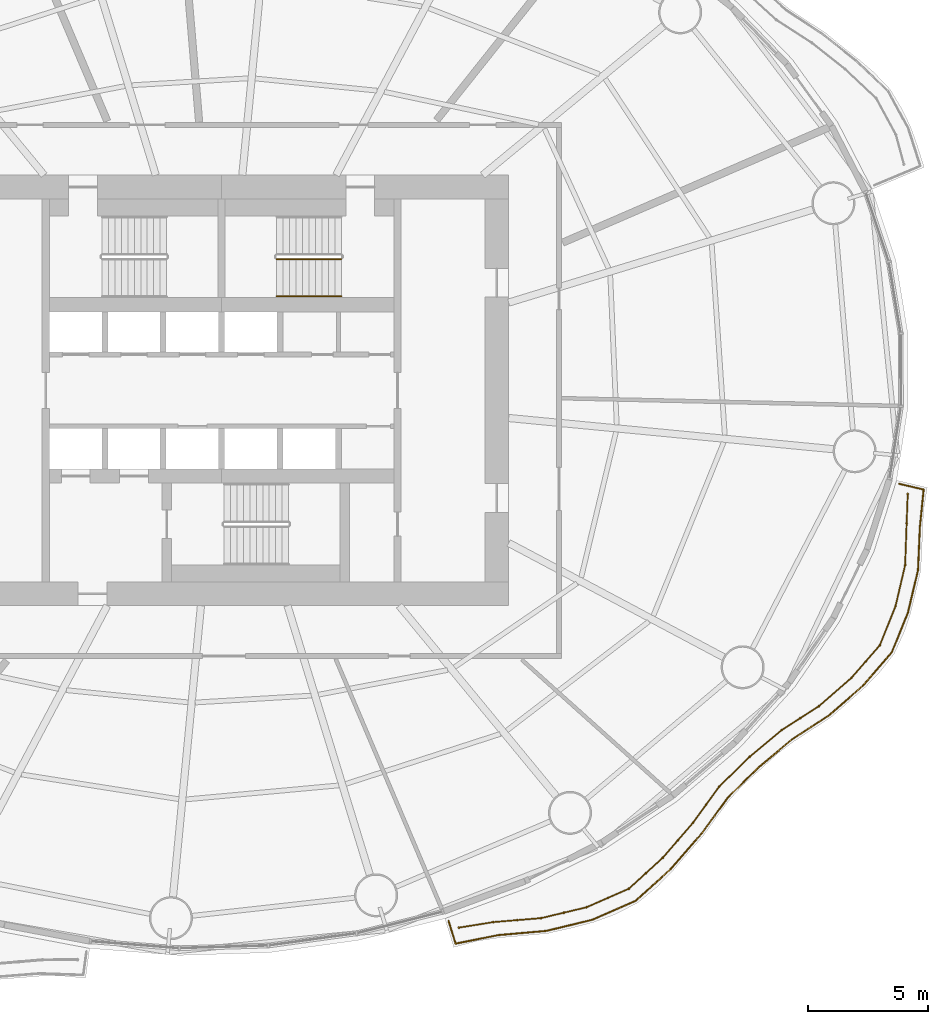
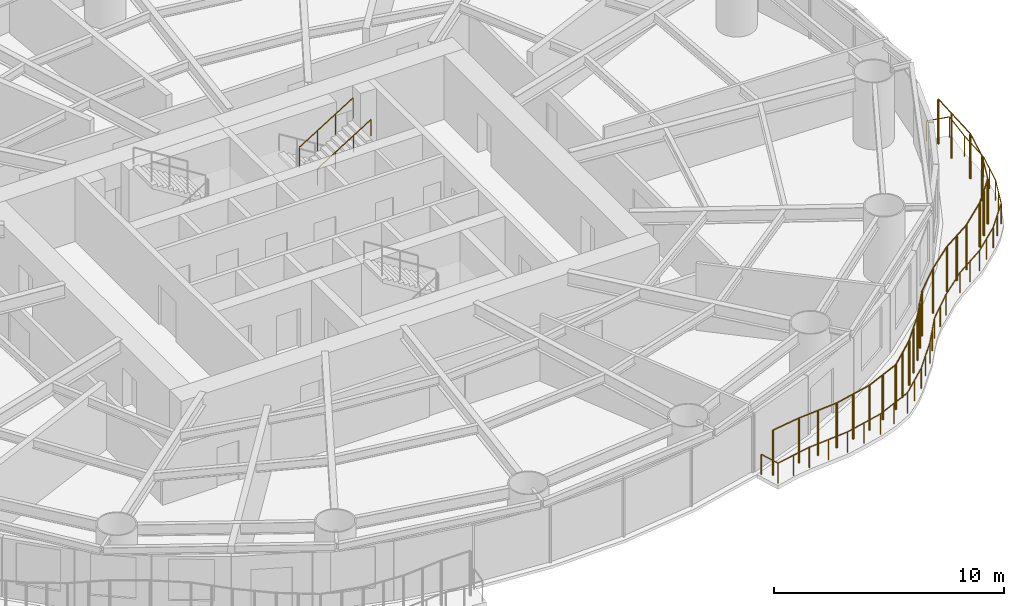
# One storey, part 14 of 17: 4 railings.
"""IFC4 building model written with IfcOpenShell, lengths in metres."""

from ifc_helpers import new_model, si_unit, direction, frame, origin, origin_2d, place, context, subcontext, project, spatial, circle, extrude, material, type_object, element, save


model = new_model("IFC4")

# Units and contexts
model_context = context("Model", 3, precision=1e-05, world=origin(), true_north=direction((0.0, 1.0)))
body_context = subcontext(model_context, "Body", "Model", "MODEL_VIEW")
ifc_project = project(units=[si_unit("LENGTHUNIT", "METRE"), si_unit("AREAUNIT", "SQUARE_METRE"), si_unit("VOLUMEUNIT", "CUBIC_METRE"), si_unit("PLANEANGLEUNIT", "RADIAN"), si_unit("MASSUNIT", "GRAM", prefix="KILO")], contexts=[model_context])

# Site, building, storey
site_placement = place(None, origin())
site = spatial("IfcSite", under=ifc_project, at=site_placement, CompositionType="ELEMENT")
building_placement = place(site_placement, origin())
building = spatial("IfcBuilding", under=site, at=building_placement, Name="Vermilion Reach Broadcast Tower", CompositionType="ELEMENT")
storey_placement = place(building_placement, frame((0.0, 0.0, 54.5)))
storey = spatial("IfcBuildingStorey", under=building, at=storey_placement, Name="L10", CompositionType="ELEMENT", Elevation=54.5)

# Railings
ifc_material_1 = material(Name="Terracotta baguette", Category="masonry")
railing_type_1 = type_object("IfcRailingType", Name="BAGUETTE SCREEN", PredefinedType="USERDEFINED", material=ifc_material_1)
railing_1_placement = place(storey_placement, frame((3.91796875, -22.45849609375, 0.0)))
element("IfcRailing", 1, at=railing_1_placement, inside=storey, type_object=railing_type_1, Name="Baguette screen L10 group 4", ObjectType="BAGUETTE SCREEN", PredefinedType="USERDEFINED", context=body_context, shape_type="SweptSolid", body=[
    extrude(circle(Radius=0.030029296875, at=origin_2d()), frame((0.0, 0.0, 2.369873046875), z_axis=(0.987335988709, 0.158643138525, 0.0), x_axis=(-0.158643138525, 0.987335988709, 0.0)), (0.0, 0.0, 1.0), 1.458984375),
    extrude(circle(Radius=0.030029296875, at=origin_2d()), frame((1.4404296875, 0.2314453125, 2.369873046875), z_axis=(0.996555843102, 0.082924372652, 0.0), x_axis=(-0.082924372652, 0.996555843102, 0.0)), (0.0, 0.0, 1.0), 2.001953125),
    extrude(circle(Radius=0.030029296875, at=origin_2d()), frame((3.435546875, 0.3974609375, 2.369873046875), z_axis=(0.972648965761, 0.232279980635, 0.0), x_axis=(-0.232279980635, 0.972648965761, 0.0)), (0.0, 0.0, 1.0), 1.951904296875),
    extrude(circle(Radius=0.030029296875, at=origin_2d()), frame((5.333984375, 0.850830078125, 2.369873046875), z_axis=(0.915801220385, 0.401631827352, 0.0), x_axis=(-0.401631827352, 0.915801220385, 0.0)), (0.0, 0.0, 1.0), 1.937255859375),
    extrude(circle(Radius=0.030029296875, at=origin_2d()), frame((7.108154296875, 1.62890625, 2.369873046875), z_axis=(0.738160785436, 0.674624825251, 0.0), x_axis=(-0.674624825251, 0.738160785436, 0.0)), (0.0, 0.0, 1.0), 1.92138671875),
    extrude(circle(Radius=0.030029296875, at=origin_2d()), frame((8.5263671875, 2.925048828125, 2.369873046875), z_axis=(0.653867513855, 0.756609063074, 0.0), x_axis=(-0.756609063074, 0.653867513855, 0.0)), (0.0, 0.0, 1.0), 1.9248046875),
    extrude(circle(Radius=0.030029296875, at=origin_2d()), frame((9.784912109375, 4.38134765625, 2.369873046875), z_axis=(0.586183820318, 0.810178084619, 0.0), x_axis=(-0.810178084619, 0.586183820318, 0.0)), (0.0, 0.0, 1.0), 1.86376953125),
    extrude(circle(Radius=0.030029296875, at=origin_2d()), frame((10.87744140625, 5.891357421875, 2.369873046875), z_axis=(0.714055391326, 0.700089207258, 0.0), x_axis=(-0.700089207258, 0.714055391326, 0.0)), (0.0, 0.0, 1.0), 1.782958984375),
    extrude(circle(Radius=0.030029296875, at=origin_2d()), frame((12.150634765625, 7.1396484375, 2.369873046875), z_axis=(0.768666482934, 0.639649777624, 0.0), x_axis=(-0.639649777624, 0.768666482934, 0.0)), (0.0, 0.0, 1.0), 1.752197265625),
    extrude(circle(Radius=0.030029296875, at=origin_2d()), frame((13.49755859375, 8.260498046875, 2.369873046875), z_axis=(0.84128992121, 0.540584191844, 0.0), x_axis=(-0.540584191844, 0.84128992121, 0.0)), (0.0, 0.0, 1.0), 1.850341796875),
    extrude(circle(Radius=0.030029296875, at=origin_2d()), frame((15.05419921875, 9.2607421875, 2.369873046875), z_axis=(0.753810631785, 0.657091722218, 0.0), x_axis=(-0.657091722218, 0.753810631785, 0.0)), (0.0, 0.0, 1.0), 1.7998046875),
    extrude(circle(Radius=0.030029296875, at=origin_2d()), frame((16.410888671875, 10.443359375, 2.369873046875), z_axis=(0.657135200432, 0.753772729908, 0.0), x_axis=(-0.753772729908, 0.657135200432, 0.0)), (0.0, 0.0, 1.0), 1.806396484375),
    extrude(circle(Radius=0.030029296875, at=origin_2d()), frame((17.597900390625, 11.804931640625, 2.369873046875), z_axis=(0.372371565457, 0.928083733959, 0.0), x_axis=(-0.928083733959, 0.372371565457, 0.0)), (0.0, 0.0, 1.0), 1.759033203125),
    extrude(circle(Radius=0.030029296875, at=origin_2d()), frame((18.2529296875, 13.4375, 2.369873046875), z_axis=(0.227614050837, 0.973751428169, 0.0), x_axis=(-0.973751428169, 0.227614050837, 0.0)), (0.0, 0.0, 1.0), 1.7666015625),
    extrude(circle(Radius=0.030029296875, at=origin_2d()), frame((18.655029296875, 15.15771484375, 2.369873046875), z_axis=(0.035676617909, 0.999363386829, 0.0), x_axis=(-0.999363386829, 0.035676617909, 0.0)), (0.0, 0.0, 1.0), 1.751953125),
    extrude(circle(Radius=0.030029296875, at=origin_2d()), frame((18.717529296875, 16.908447265625, 2.369873046875), z_axis=(0.03751351251, 0.999296120466, 0.0), x_axis=(-0.999296120466, 0.03751351251, 0.0)), (0.0, 0.0, 1.0), 1.2236328125),
    extrude(circle(Radius=0.050048828125, at=origin_2d()), origin(), (0.0, 0.0, 1.0), 2.33984375),
    extrude(circle(Radius=0.050048828125, at=origin_2d()), frame((1.4404296875, 0.2314453125, 0.0)), (0.0, 0.0, 1.0), 2.33984375),
    extrude(circle(Radius=0.050048828125, at=origin_2d()), frame((2.43798828125, 0.314453125, 0.0)), (0.0, 0.0, 1.0), 2.33984375),
    extrude(circle(Radius=0.050048828125, at=origin_2d()), frame((3.435546875, 0.3974609375, 0.0)), (0.0, 0.0, 1.0), 2.33984375),
    extrude(circle(Radius=0.050048828125, at=origin_2d()), frame((4.384765625, 0.6240234375, 0.0)), (0.0, 0.0, 1.0), 2.33984375),
    extrude(circle(Radius=0.050048828125, at=origin_2d()), frame((5.333984375, 0.850830078125, 0.0)), (0.0, 0.0, 1.0), 2.33984375),
    extrude(circle(Radius=0.050048828125, at=origin_2d()), frame((6.22119140625, 1.23974609375, 0.0)), (0.0, 0.0, 1.0), 2.33984375),
    extrude(circle(Radius=0.050048828125, at=origin_2d()), frame((7.108154296875, 1.62890625, 0.0)), (0.0, 0.0, 1.0), 2.33984375),
    extrude(circle(Radius=0.050048828125, at=origin_2d()), frame((7.8173828125, 2.27685546875, 0.0)), (0.0, 0.0, 1.0), 2.33984375),
    extrude(circle(Radius=0.050048828125, at=origin_2d()), frame((8.5263671875, 2.925048828125, 0.0)), (0.0, 0.0, 1.0), 2.33984375),
    extrude(circle(Radius=0.050048828125, at=origin_2d()), frame((9.15576171875, 3.6533203125, 0.0)), (0.0, 0.0, 1.0), 2.33984375),
    extrude(circle(Radius=0.050048828125, at=origin_2d()), frame((9.784912109375, 4.38134765625, 0.0)), (0.0, 0.0, 1.0), 2.33984375),
    extrude(circle(Radius=0.050048828125, at=origin_2d()), frame((10.3310546875, 5.13623046875, 0.0)), (0.0, 0.0, 1.0), 2.33984375),
    extrude(circle(Radius=0.050048828125, at=origin_2d()), frame((10.87744140625, 5.891357421875, 0.0)), (0.0, 0.0, 1.0), 2.33984375),
    extrude(circle(Radius=0.050048828125, at=origin_2d()), frame((12.150634765625, 7.1396484375, 0.0)), (0.0, 0.0, 1.0), 2.33984375),
    extrude(circle(Radius=0.050048828125, at=origin_2d()), frame((13.49755859375, 8.260498046875, 0.0)), (0.0, 0.0, 1.0), 2.33984375),
    extrude(circle(Radius=0.050048828125, at=origin_2d()), frame((14.27587890625, 8.7607421875, 0.0)), (0.0, 0.0, 1.0), 2.33984375),
    extrude(circle(Radius=0.050048828125, at=origin_2d()), frame((15.05419921875, 9.2607421875, 0.0)), (0.0, 0.0, 1.0), 2.33984375),
    extrude(circle(Radius=0.050048828125, at=origin_2d()), frame((16.410888671875, 10.443359375, 0.0)), (0.0, 0.0, 1.0), 2.33984375),
    extrude(circle(Radius=0.050048828125, at=origin_2d()), frame((17.00439453125, 11.1240234375, 0.0)), (0.0, 0.0, 1.0), 2.33984375),
    extrude(circle(Radius=0.050048828125, at=origin_2d()), frame((17.597900390625, 11.804931640625, 0.0)), (0.0, 0.0, 1.0), 2.33984375),
    extrude(circle(Radius=0.050048828125, at=origin_2d()), frame((18.2529296875, 13.4375, 0.0)), (0.0, 0.0, 1.0), 2.33984375),
    extrude(circle(Radius=0.050048828125, at=origin_2d()), frame((18.655029296875, 15.15771484375, 0.0)), (0.0, 0.0, 1.0), 2.33984375),
    extrude(circle(Radius=0.050048828125, at=origin_2d()), frame((18.717529296875, 16.908447265625, 0.0)), (0.0, 0.0, 1.0), 2.33984375),
    extrude(circle(Radius=0.050048828125, at=origin_2d()), frame((18.763427734375, 18.131103515625, 0.0)), (0.0, 0.0, 1.0), 2.33984375),
])
ifc_material_2 = material(Name="Stainless steel 316 balustrade", Category="steel")
railing_type_2 = type_object("IfcRailingType", Name="Balcony guard 1100", PredefinedType="BALUSTRADE", material=ifc_material_2)
railing_2_placement = place(storey_placement, frame((3.487548828125, -22.1826171875, 0.0)))
element("IfcRailing", 2, at=railing_2_placement, inside=storey, type_object=railing_type_2, Name="Balcony guard L10 group 4", PredefinedType="BALUSTRADE", context=body_context, shape_type="SweptSolid", body=[
    extrude(circle(Radius=0.02490234375, at=origin_2d()), frame((0.0, 0.0, 1.0751953125), z_axis=(0.295785653877, -0.955254336269, 0.0), x_axis=(0.955254336269, 0.295785653877, 0.0)), (0.0, 0.0, 1.0), 0.98876953125),
    extrude(circle(Radius=0.02490234375, at=origin_2d()), frame((0.29248046875, -0.944580078125, 1.0751953125), z_axis=(0.980559979604, 0.196219587195, 0.0), x_axis=(-0.196219587195, 0.980559979604, 0.0)), (0.0, 0.0, 1.0), 1.8154296875),
    extrude(circle(Radius=0.02490234375, at=origin_2d()), frame((2.072509765625, -0.58837890625, 1.0751953125), z_axis=(0.996150847713, 0.087655510949, 0.0), x_axis=(-0.087655510949, 0.996150847713, 0.0)), (0.0, 0.0, 1.0), 2.033203125),
    extrude(circle(Radius=0.02490234375, at=origin_2d()), frame((4.097900390625, -0.41015625, 1.0751953125), z_axis=(0.971833879899, 0.235666946943, 0.0), x_axis=(-0.235666946943, 0.971833879899, 0.0)), (0.0, 0.0, 1.0), 1.98388671875),
    extrude(circle(Radius=0.02490234375, at=origin_2d()), frame((6.02587890625, 0.057373046875, 1.0751953125), z_axis=(0.915251103698, 0.402883875552, 0.0), x_axis=(-0.402883875552, 0.915251103698, 0.0)), (0.0, 0.0, 1.0), 1.97119140625),
    extrude(circle(Radius=0.02490234375, at=origin_2d()), frame((7.830078125, 0.8515625, 1.0751953125), z_axis=(0.740267826276, 0.672312089271, 0.0), x_axis=(-0.672312089271, 0.740267826276, 0.0)), (0.0, 0.0, 1.0), 1.954345703125),
    extrude(circle(Radius=0.02490234375, at=origin_2d()), frame((9.27685546875, 2.16552734375, 1.0751953125), z_axis=(0.657171506207, 0.75374107718, 0.0), x_axis=(-0.75374107718, 0.657171506207, 0.0)), (0.0, 0.0, 1.0), 1.959228515625),
    extrude(circle(Radius=0.02490234375, at=origin_2d()), frame((10.564453125, 3.642333984375, 1.0751953125), z_axis=(0.590158483535, 0.807287411218, 0.0), x_axis=(-0.807287411218, 0.590158483535, 0.0)), (0.0, 0.0, 1.0), 1.89794921875),
    extrude(circle(Radius=0.02490234375, at=origin_2d()), frame((11.6845703125, 5.174560546875, 1.0751953125), z_axis=(0.714644513624, 0.699487826304, 0.0), x_axis=(-0.699487826304, 0.714644513624, 0.0)), (0.0, 0.0, 1.0), 1.820068359375),
    extrude(circle(Radius=0.02490234375, at=origin_2d()), frame((12.9853515625, 6.44775390625, 1.0751953125), z_axis=(0.767146459756, 0.641471986359, 0.0), x_axis=(-0.641471986359, 0.767146459756, 0.0)), (0.0, 0.0, 1.0), 1.7890625),
    extrude(circle(Radius=0.02490234375, at=origin_2d()), frame((14.35791015625, 7.595458984375, 1.0751953125), z_axis=(0.838029714773, 0.545624593615, 0.0), x_axis=(-0.545624593615, 0.838029714773, 0.0)), (0.0, 0.0, 1.0), 1.8876953125),
    extrude(circle(Radius=0.02490234375, at=origin_2d()), frame((15.93994140625, 8.62548828125, 1.0751953125), z_axis=(0.750755668614, 0.660579992161, 0.0), x_axis=(-0.660579992161, 0.750755668614, 0.0)), (0.0, 0.0, 1.0), 1.83837890625),
    extrude(circle(Radius=0.02490234375, at=origin_2d()), frame((17.320068359375, 9.83984375, 1.0751953125), z_axis=(0.654527883709, 0.756037862443, 0.0), x_axis=(-0.756037862443, 0.654527883709, 0.0)), (0.0, 0.0, 1.0), 1.84716796875),
    extrude(circle(Radius=0.02490234375, at=origin_2d()), frame((18.529052734375, 11.236328125, 1.0751953125), z_axis=(0.374732127814, 0.927133125492, 0.0), x_axis=(-0.927133125492, 0.374732127814, 0.0)), (0.0, 0.0, 1.0), 1.800048828125),
    extrude(circle(Radius=0.02490234375, at=origin_2d()), frame((19.20361328125, 12.9052734375, 1.0751953125), z_axis=(0.232009772326, 0.972713455004, 0.0), x_axis=(-0.972713455004, 0.232009772326, 0.0)), (0.0, 0.0, 1.0), 1.808837890625),
    extrude(circle(Radius=0.02490234375, at=origin_2d()), frame((19.623291015625, 14.664794921875, 1.0751953125), z_axis=(0.043165399606, 0.99906793977, 0.0), x_axis=(-0.99906793977, 0.043165399606, 0.0)), (0.0, 0.0, 1.0), 1.79296875),
    extrude(circle(Radius=0.02490234375, at=origin_2d()), frame((19.70068359375, 16.4560546875, 1.0751953125), z_axis=(0.09959502317, 0.995028055564, 0.0), x_axis=(-0.995028055564, 0.09959502317, 0.0)), (0.0, 0.0, 1.0), 1.58837890625),
    extrude(circle(Radius=0.02490234375, at=origin_2d()), frame((19.85888671875, 18.03662109375, 1.0751953125), z_axis=(-0.973306936364, 0.229507314973, 0.0), x_axis=(-0.229507314973, -0.973306936364, 0.0)), (0.0, 0.0, 1.0), 1.046630859375),
    extrude(circle(Radius=0.02490234375, at=origin_2d()), origin(), (0.0, 0.0, 1.0), 1.050048828125),
    extrude(circle(Radius=0.02490234375, at=origin_2d()), frame((0.29248046875, -0.944580078125, 0.0)), (0.0, 0.0, 1.0), 1.050048828125),
    extrude(circle(Radius=0.02490234375, at=origin_2d()), frame((1.1826171875, -0.7666015625, 0.0)), (0.0, 0.0, 1.0), 1.050048828125),
    extrude(circle(Radius=0.02490234375, at=origin_2d()), frame((2.072509765625, -0.58837890625, 0.0)), (0.0, 0.0, 1.0), 1.050048828125),
    extrude(circle(Radius=0.02490234375, at=origin_2d()), frame((3.085205078125, -0.499267578125, 0.0)), (0.0, 0.0, 1.0), 1.050048828125),
    extrude(circle(Radius=0.02490234375, at=origin_2d()), frame((4.097900390625, -0.41015625, 0.0)), (0.0, 0.0, 1.0), 1.050048828125),
    extrude(circle(Radius=0.02490234375, at=origin_2d()), frame((5.06201171875, -0.17626953125, 0.0)), (0.0, 0.0, 1.0), 1.050048828125),
    extrude(circle(Radius=0.02490234375, at=origin_2d()), frame((6.02587890625, 0.057373046875, 0.0)), (0.0, 0.0, 1.0), 1.050048828125),
    extrude(circle(Radius=0.02490234375, at=origin_2d()), frame((6.927978515625, 0.45458984375, 0.0)), (0.0, 0.0, 1.0), 1.050048828125),
    extrude(circle(Radius=0.02490234375, at=origin_2d()), frame((7.830078125, 0.8515625, 0.0)), (0.0, 0.0, 1.0), 1.050048828125),
    extrude(circle(Radius=0.02490234375, at=origin_2d()), frame((8.553466796875, 1.508544921875, 0.0)), (0.0, 0.0, 1.0), 1.050048828125),
    extrude(circle(Radius=0.02490234375, at=origin_2d()), frame((9.27685546875, 2.16552734375, 0.0)), (0.0, 0.0, 1.0), 1.050048828125),
    extrude(circle(Radius=0.02490234375, at=origin_2d()), frame((9.920654296875, 2.90380859375, 0.0)), (0.0, 0.0, 1.0), 1.050048828125),
    extrude(circle(Radius=0.02490234375, at=origin_2d()), frame((10.564453125, 3.642333984375, 0.0)), (0.0, 0.0, 1.0), 1.050048828125),
    extrude(circle(Radius=0.02490234375, at=origin_2d()), frame((11.12451171875, 4.408447265625, 0.0)), (0.0, 0.0, 1.0), 1.050048828125),
    extrude(circle(Radius=0.02490234375, at=origin_2d()), frame((11.6845703125, 5.174560546875, 0.0)), (0.0, 0.0, 1.0), 1.050048828125),
    extrude(circle(Radius=0.02490234375, at=origin_2d()), frame((12.3349609375, 5.81103515625, 0.0)), (0.0, 0.0, 1.0), 1.050048828125),
    extrude(circle(Radius=0.02490234375, at=origin_2d()), frame((12.9853515625, 6.44775390625, 0.0)), (0.0, 0.0, 1.0), 1.050048828125),
    extrude(circle(Radius=0.02490234375, at=origin_2d()), frame((14.35791015625, 7.595458984375, 0.0)), (0.0, 0.0, 1.0), 1.050048828125),
    extrude(circle(Radius=0.02490234375, at=origin_2d()), frame((15.14892578125, 8.1103515625, 0.0)), (0.0, 0.0, 1.0), 1.050048828125),
    extrude(circle(Radius=0.02490234375, at=origin_2d()), frame((15.93994140625, 8.62548828125, 0.0)), (0.0, 0.0, 1.0), 1.050048828125),
    extrude(circle(Radius=0.02490234375, at=origin_2d()), frame((16.6298828125, 9.232666015625, 0.0)), (0.0, 0.0, 1.0), 1.050048828125),
    extrude(circle(Radius=0.02490234375, at=origin_2d()), frame((17.320068359375, 9.83984375, 0.0)), (0.0, 0.0, 1.0), 1.050048828125),
    extrude(circle(Radius=0.02490234375, at=origin_2d()), frame((17.924560546875, 10.5380859375, 0.0)), (0.0, 0.0, 1.0), 1.050048828125),
    extrude(circle(Radius=0.02490234375, at=origin_2d()), frame((18.529052734375, 11.236328125, 0.0)), (0.0, 0.0, 1.0), 1.050048828125),
    extrude(circle(Radius=0.02490234375, at=origin_2d()), frame((18.8662109375, 12.07080078125, 0.0)), (0.0, 0.0, 1.0), 1.050048828125),
    extrude(circle(Radius=0.02490234375, at=origin_2d()), frame((19.20361328125, 12.9052734375, 0.0)), (0.0, 0.0, 1.0), 1.050048828125),
    extrude(circle(Radius=0.02490234375, at=origin_2d()), frame((19.41357421875, 13.78515625, 0.0)), (0.0, 0.0, 1.0), 1.050048828125),
    extrude(circle(Radius=0.02490234375, at=origin_2d()), frame((19.623291015625, 14.664794921875, 0.0)), (0.0, 0.0, 1.0), 1.050048828125),
    extrude(circle(Radius=0.02490234375, at=origin_2d()), frame((19.70068359375, 16.4560546875, 0.0)), (0.0, 0.0, 1.0), 1.050048828125),
    extrude(circle(Radius=0.02490234375, at=origin_2d()), frame((19.85888671875, 18.03662109375, 0.0)), (0.0, 0.0, 1.0), 1.050048828125),
    extrude(circle(Radius=0.02490234375, at=origin_2d()), frame((18.840087890625, 18.27685546875, 0.0)), (0.0, 0.0, 1.0), 1.050048828125),
])
ifc_material_3 = material(Name="Stainless steel", Category="steel")
railing_type_3 = type_object("IfcRailingType", Name="Stair guard 1100", PredefinedType="GUARDRAIL", material=ifc_material_3)
railing_3_placement = place(storey_placement, frame((-3.699951171875, 5.489990234375, 2.01806640625)))
element("IfcRailing", 3, at=railing_3_placement, inside=storey, type_object=railing_type_3, Name="L10 ST2 stair guard 3", PredefinedType="GUARDRAIL", context=body_context, shape_type="SweptSolid", body=[
    extrude(circle(Radius=0.02392578125, at=origin_2d()), frame((0.0, 0.0, 1.076171875), z_axis=(0.848786430784, 0.0, 0.528735846068), x_axis=(0.0, 1.0, 0.0)), (0.0, 0.0, 1.0), 3.180908203125),
    extrude(circle(Radius=0.02099609375, at=origin_2d()), origin(), (0.0, 0.0, 1.0), 1.052001953125),
    extrude(circle(Radius=0.02099609375, at=origin_2d()), frame((0.89990234375, 0.0, 0.560546875)), (0.0, 0.0, 1.0), 1.052001953125),
    extrude(circle(Radius=0.02099609375, at=origin_2d()), frame((1.800048828125, 0.0, 1.121337890625)), (0.0, 0.0, 1.0), 1.052001953125),
    extrude(circle(Radius=0.02099609375, at=origin_2d()), frame((2.699951171875, 0.0, 1.681884765625)), (0.0, 0.0, 1.0), 1.052001953125),
])
ifc_material_4 = material(Name="Stainless steel", Category="steel")
railing_type_4 = type_object("IfcRailingType", Name="Stair handrail", PredefinedType="HANDRAIL", material=ifc_material_4)
railing_4_placement = place(storey_placement, frame((-3.699951171875, 3.929931640625, 2.01806640625)))
element("IfcRailing", 4, at=railing_4_placement, inside=storey, type_object=railing_type_4, Name="L10 ST2 stair handrail 2", PredefinedType="HANDRAIL", context=body_context, shape_type="SweptSolid", body=[
    extrude(circle(Radius=0.02392578125, at=origin_2d()), frame((0.0, 0.0, 0.8759765625), z_axis=(0.848786430784, 0.0, 0.528735846068), x_axis=(0.0, 1.0, 0.0)), (0.0, 0.0, 1.0), 3.180908203125),
    extrude(circle(Radius=0.02099609375, at=origin_2d()), origin(), (0.0, 0.0, 1.0), 0.851806640625),
    extrude(circle(Radius=0.02099609375, at=origin_2d()), frame((0.89990234375, 0.0, 0.560546875)), (0.0, 0.0, 1.0), 0.851806640625),
    extrude(circle(Radius=0.02099609375, at=origin_2d()), frame((1.800048828125, 0.0, 1.121337890625)), (0.0, 0.0, 1.0), 0.851806640625),
    extrude(circle(Radius=0.02099609375, at=origin_2d()), frame((2.699951171875, 0.0, 1.681884765625)), (0.0, 0.0, 1.0), 0.851806640625),
])

save(model, "model.ifc")
